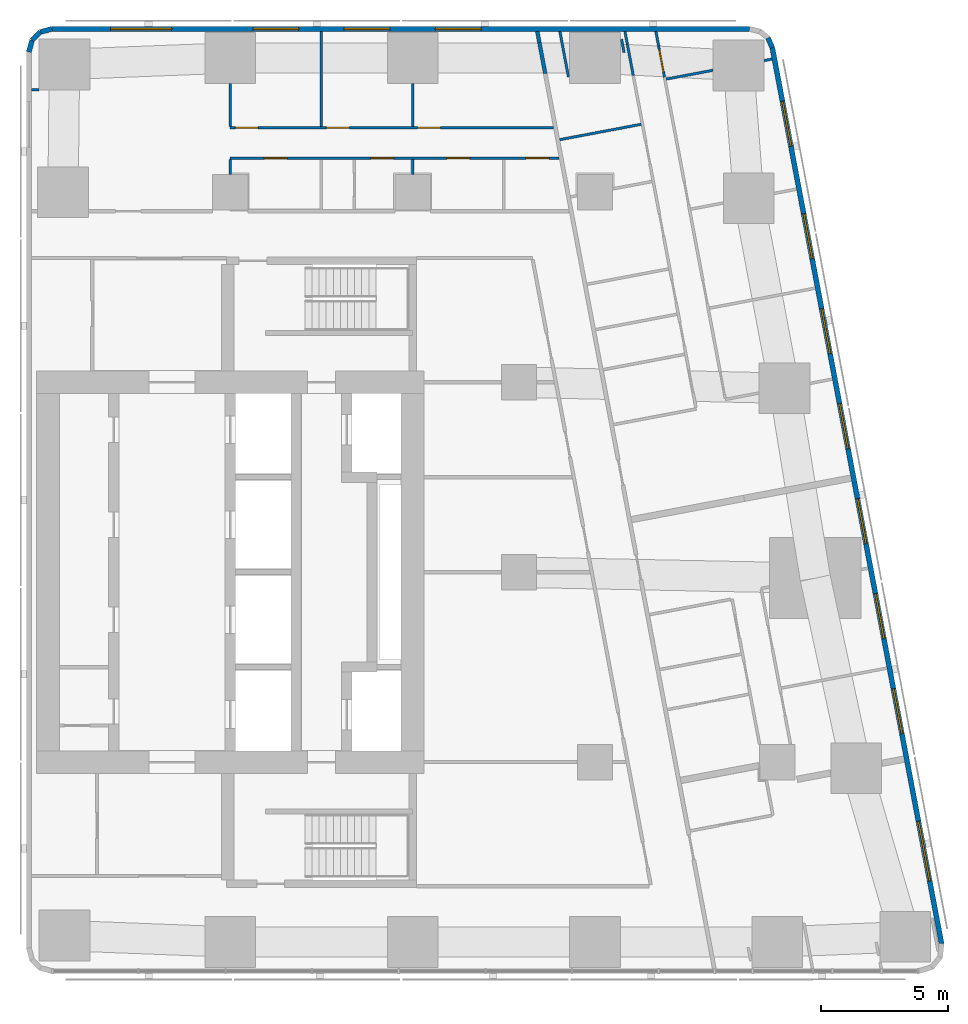
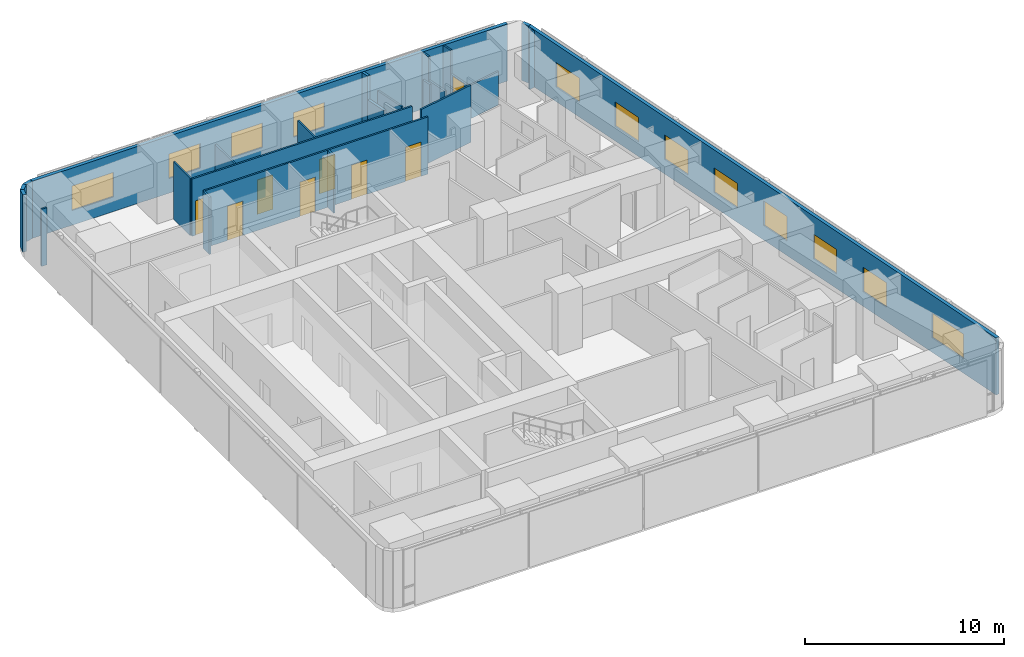
# One storey, part 8 of 11: 25 walls, 12 windows, 8 doors, 20 openings.
"""IFC4 building model written with IfcOpenShell, lengths in metres."""

from ifc_helpers import new_model, si_unit, direction, frame, frame_2d, origin, place, context, subcontext, project, spatial, rectangle, extrude, material, layer, layer_set, type_object, element, fill, save


model = new_model("IFC4")

# Units and contexts
model_context = context("Model", 3, precision=1e-05, world=origin(), true_north=direction((0.0, 1.0)))
body_context = subcontext(model_context, "Body", "Model", "MODEL_VIEW")
ifc_project = project(units=[si_unit("LENGTHUNIT", "METRE"), si_unit("AREAUNIT", "SQUARE_METRE"), si_unit("VOLUMEUNIT", "CUBIC_METRE"), si_unit("PLANEANGLEUNIT", "RADIAN"), si_unit("MASSUNIT", "GRAM", prefix="KILO")], contexts=[model_context])

# Site, building, storey
site_placement = place(None, origin())
site = spatial("IfcSite", under=ifc_project, at=site_placement, CompositionType="ELEMENT")
building_placement = place(site_placement, origin())
building = spatial("IfcBuilding", under=site, at=building_placement, Name="Sheger Commons Tower", CompositionType="ELEMENT")
storey_placement = place(building_placement, frame((0.0, 0.0, 266.60009765625)))
storey = spatial("IfcBuildingStorey", under=building, at=storey_placement, Name="L68", CompositionType="ELEMENT", Elevation=266.60009765625)

# Walls
ifc_material_1 = material(Name="Hollow concrete block masonry, skimmed both sides", Category="masonry")
ifc_layer_1 = layer(ifc_material_1, 0.14990234375)
ifc_layer_set_1 = layer_set([ifc_layer_1], Name="CORRIDOR WALL 150")
wall_type_1 = type_object("IfcWallType", Name="CORRIDOR WALL 150", PredefinedType="SOLIDWALL", material=ifc_layer_set_1)
wall_1_placement = place(storey_placement, frame((33.721923828125, 43.85009765625, 0.0), z_axis=(0.0, 0.0, 1.0), x_axis=(0.184886516626, -0.982759877066, 0.0)))
element("IfcWall", 1, at=wall_1_placement, inside=storey, type_object=wall_type_1, Name="Corridor wall L68", PredefinedType="SOLIDWALL", context=body_context, shape_type="SweptSolid", body=[
    extrude(rectangle(XDim=0.443603515625, YDim=0.14990234375, at=frame_2d((0.2216796875, 0.0))), origin(), (0.0, 0.0, 1.0), 3.5),
])
wall_2_placement = place(storey_placement, frame((33.803955078125, 43.4140625, 0.0), z_axis=(0.0, 0.0, 1.0), x_axis=(0.185585816539, -0.982628060204, 0.0)))
element("IfcWall", 2, at=wall_2_placement, inside=storey, type_object=wall_type_1, Name="Corridor wall L68", PredefinedType="SOLIDWALL", context=body_context, shape_type="SweptSolid", body=[
    extrude(rectangle(XDim=1.249755859375, YDim=0.14990234375, at=frame_2d((0.625, 0.0))), origin(), (0.0, 0.0, 1.0), 2.0498046875),
])

# Wall, openings, windows
ifc_material_2 = material(Name="Rendered concrete block masonry, dark grey", Category="masonry")
ifc_layer_2 = layer(ifc_material_2, 0.199951171875)
ifc_layer_set_2 = layer_set([ifc_layer_2], Name="FACADE WALL 200")
wall_type_2 = type_object("IfcWallType", Name="FACADE WALL 200", PredefinedType="SOLIDWALL", material=ifc_layer_set_2)
wall_3_placement = place(storey_placement, frame((49.68408203125, 7.83203125, 0.0), z_axis=(0.0, 0.0, 1.0), x_axis=(-0.185616669694, 0.982622232565, 0.0)))
wall_3 = element("IfcWall", 3, at=wall_3_placement, inside=storey, type_object=wall_type_2, Name="Facade wall L68", PredefinedType="SOLIDWALL", context=body_context, shape_type="SweptSolid", body=[
    extrude(rectangle(XDim=35.99951171875, YDim=0.199951171875, at=frame_2d((17.999755859375, 0.0))), origin(), (0.0, 0.0, 1.0), 3.5),
])
opening_1_placement = place(wall_3_placement, frame((2.51806640625, 0.0, 0.89990234375)))
opening_1 = element("IfcOpeningElement", 4, at=opening_1_placement, cuts=wall_3, Name="Opening W1", PredefinedType="OPENING", context=body_context, shape_type="SweptSolid", body=[
    extrude(rectangle(XDim=2.39990234375, YDim=1.5, at=frame_2d((1.199951171875, 0.75))), frame((0.0, 0.10986328125, 0.0), z_axis=(0.0, -1.0, 0.0), x_axis=(1.0, 0.0, 0.0)), (0.0, 0.0, 1.0), 0.219970703125),
])
opening_2_placement = place(wall_3_placement, frame((8.444091796875, 0.0, 0.89990234375)))
opening_2 = element("IfcOpeningElement", 5, at=opening_2_placement, cuts=wall_3, Name="Opening W2", PredefinedType="OPENING", context=body_context, shape_type="SweptSolid", body=[
    extrude(rectangle(XDim=1.800048828125, YDim=1.5, at=frame_2d((0.89990234375, 0.75))), frame((0.0, 0.10986328125, 0.0), z_axis=(0.0, -1.0, 0.0), x_axis=(1.0, 0.0, 0.0)), (0.0, 0.0, 1.0), 0.219970703125),
])
opening_3_placement = place(wall_3_placement, frame((12.260986328125, 0.0, 0.89990234375)))
opening_3 = element("IfcOpeningElement", 6, at=opening_3_placement, cuts=wall_3, Name="Opening W2", PredefinedType="OPENING", context=body_context, shape_type="SweptSolid", body=[
    extrude(rectangle(XDim=1.800048828125, YDim=1.5, at=frame_2d((0.89990234375, 0.75))), frame((0.0, 0.10986328125, 0.0), z_axis=(0.0, -1.0, 0.0), x_axis=(1.0, 0.0, 0.0)), (0.0, 0.0, 1.0), 0.219970703125),
])
opening_4_placement = place(wall_3_placement, frame((16.077880859375, 0.0, 0.89990234375)))
opening_4 = element("IfcOpeningElement", 7, at=opening_4_placement, cuts=wall_3, Name="Opening W2", PredefinedType="OPENING", context=body_context, shape_type="SweptSolid", body=[
    extrude(rectangle(XDim=1.800048828125, YDim=1.5, at=frame_2d((0.89990234375, 0.75))), frame((0.0, 0.10986328125, 0.0), z_axis=(0.0, -1.0, 0.0), x_axis=(1.0, 0.0, 0.0)), (0.0, 0.0, 1.0), 0.219970703125),
])
opening_5_placement = place(wall_3_placement, frame((19.89404296875, 0.0, 0.89990234375)))
opening_5 = element("IfcOpeningElement", 8, at=opening_5_placement, cuts=wall_3, Name="Opening W2", PredefinedType="OPENING", context=body_context, shape_type="SweptSolid", body=[
    extrude(rectangle(XDim=1.800048828125, YDim=1.5, at=frame_2d((0.89990234375, 0.75))), frame((0.0, 0.10986328125, 0.0), z_axis=(0.0, -1.0, 0.0), x_axis=(1.0, 0.0, 0.0)), (0.0, 0.0, 1.0), 0.219970703125),
])
opening_6_placement = place(wall_3_placement, frame((23.7099609375, 0.0, 0.89990234375)))
opening_6 = element("IfcOpeningElement", 9, at=opening_6_placement, cuts=wall_3, Name="Opening W2", PredefinedType="OPENING", context=body_context, shape_type="SweptSolid", body=[
    extrude(rectangle(XDim=1.800048828125, YDim=1.5, at=frame_2d((0.89990234375, 0.75))), frame((0.0, 0.10986328125, 0.0), z_axis=(0.0, -1.0, 0.0), x_axis=(1.0, 0.0, 0.0)), (0.0, 0.0, 1.0), 0.219970703125),
])
opening_7_placement = place(wall_3_placement, frame((27.52587890625, 0.0, 0.89990234375)))
opening_7 = element("IfcOpeningElement", 10, at=opening_7_placement, cuts=wall_3, Name="Opening W2", PredefinedType="OPENING", context=body_context, shape_type="SweptSolid", body=[
    extrude(rectangle(XDim=1.800048828125, YDim=1.5, at=frame_2d((0.89990234375, 0.75))), frame((0.0, 0.10986328125, 0.0), z_axis=(0.0, -1.0, 0.0), x_axis=(1.0, 0.0, 0.0)), (0.0, 0.0, 1.0), 0.219970703125),
])
opening_8_placement = place(wall_3_placement, frame((32.0458984375, 0.0, 0.89990234375)))
opening_8 = element("IfcOpeningElement", 11, at=opening_8_placement, cuts=wall_3, Name="Opening W2", PredefinedType="OPENING", context=body_context, shape_type="SweptSolid", body=[
    extrude(rectangle(XDim=1.800048828125, YDim=1.5, at=frame_2d((0.89990234375, 0.75))), frame((0.0, 0.10986328125, 0.0), z_axis=(0.0, -1.0, 0.0), x_axis=(1.0, 0.0, 0.0)), (0.0, 0.0, 1.0), 0.219970703125),
])
ifc_material_3 = material(Name="Black aluminium frame, dark tinted double glazing", Category="aluminium")
window_type_1 = type_object("IfcWindowType", Name="WINDOW W1 2400x1500", PartitioningType="SINGLE_PANEL", PredefinedType="WINDOW", material=ifc_material_3)
window_1_placement = place(opening_1_placement, origin())
window_1 = element("IfcWindow", 12, at=window_1_placement, inside=storey, type_object=window_type_1, Name="Window W1 2400X1500", OverallHeight=1.5, OverallWidth=2.39990234375, PartitioningType="SINGLE_PANEL", PredefinedType="WINDOW", context=body_context, shape_type="SweptSolid", body=[
    extrude(rectangle(XDim=2.39990234375, YDim=1.5, at=frame_2d((1.199951171875, 0.75))), frame((0.0, 0.030029296875, 0.0), z_axis=(0.0, -1.0, 0.0), x_axis=(1.0, 0.0, 0.0)), (0.0, 0.0, 1.0), 0.06005859375),
])
fill(opening_1, window_1)
ifc_material_4 = material(Name="Black aluminium frame, dark tinted double glazing", Category="aluminium")
window_type_2 = type_object("IfcWindowType", Name="WINDOW W2 1800x1500", PartitioningType="SINGLE_PANEL", PredefinedType="WINDOW", material=ifc_material_4)
window_2_placement = place(opening_2_placement, origin())
window_2 = element("IfcWindow", 13, at=window_2_placement, inside=storey, type_object=window_type_2, Name="Window W2 1800X1500", OverallHeight=1.5, OverallWidth=1.800048828125, PartitioningType="SINGLE_PANEL", PredefinedType="WINDOW", context=body_context, shape_type="SweptSolid", body=[
    extrude(rectangle(XDim=1.800048828125, YDim=1.5, at=frame_2d((0.89990234375, 0.75))), frame((0.0, 0.030029296875, 0.0), z_axis=(0.0, -1.0, 0.0), x_axis=(1.0, 0.0, 0.0)), (0.0, 0.0, 1.0), 0.06005859375),
])
fill(opening_2, window_2)
window_3_placement = place(opening_3_placement, origin())
window_3 = element("IfcWindow", 14, at=window_3_placement, inside=storey, type_object=window_type_2, Name="Window W2 1800X1500", OverallHeight=1.5, OverallWidth=1.800048828125, PartitioningType="SINGLE_PANEL", PredefinedType="WINDOW", context=body_context, shape_type="SweptSolid", body=[
    extrude(rectangle(XDim=1.800048828125, YDim=1.5, at=frame_2d((0.89990234375, 0.75))), frame((0.0, 0.030029296875, 0.0), z_axis=(0.0, -1.0, 0.0), x_axis=(1.0, 0.0, 0.0)), (0.0, 0.0, 1.0), 0.06005859375),
])
fill(opening_3, window_3)
window_4_placement = place(opening_4_placement, origin())
window_4 = element("IfcWindow", 15, at=window_4_placement, inside=storey, type_object=window_type_2, Name="Window W2 1800X1500", OverallHeight=1.5, OverallWidth=1.800048828125, PartitioningType="SINGLE_PANEL", PredefinedType="WINDOW", context=body_context, shape_type="SweptSolid", body=[
    extrude(rectangle(XDim=1.800048828125, YDim=1.5, at=frame_2d((0.89990234375, 0.75))), frame((0.0, 0.030029296875, 0.0), z_axis=(0.0, -1.0, 0.0), x_axis=(1.0, 0.0, 0.0)), (0.0, 0.0, 1.0), 0.06005859375),
])
fill(opening_4, window_4)
window_5_placement = place(opening_5_placement, origin())
window_5 = element("IfcWindow", 16, at=window_5_placement, inside=storey, type_object=window_type_2, Name="Window W2 1800X1500", OverallHeight=1.5, OverallWidth=1.800048828125, PartitioningType="SINGLE_PANEL", PredefinedType="WINDOW", context=body_context, shape_type="SweptSolid", body=[
    extrude(rectangle(XDim=1.800048828125, YDim=1.5, at=frame_2d((0.89990234375, 0.75))), frame((0.0, 0.030029296875, 0.0), z_axis=(0.0, -1.0, 0.0), x_axis=(1.0, 0.0, 0.0)), (0.0, 0.0, 1.0), 0.06005859375),
])
fill(opening_5, window_5)
window_6_placement = place(opening_6_placement, origin())
window_6 = element("IfcWindow", 17, at=window_6_placement, inside=storey, type_object=window_type_2, Name="Window W2 1800X1500", OverallHeight=1.5, OverallWidth=1.800048828125, PartitioningType="SINGLE_PANEL", PredefinedType="WINDOW", context=body_context, shape_type="SweptSolid", body=[
    extrude(rectangle(XDim=1.800048828125, YDim=1.5, at=frame_2d((0.89990234375, 0.75))), frame((0.0, 0.030029296875, 0.0), z_axis=(0.0, -1.0, 0.0), x_axis=(1.0, 0.0, 0.0)), (0.0, 0.0, 1.0), 0.06005859375),
])
fill(opening_6, window_6)
window_7_placement = place(opening_7_placement, origin())
window_7 = element("IfcWindow", 18, at=window_7_placement, inside=storey, type_object=window_type_2, Name="Window W2 1800X1500", OverallHeight=1.5, OverallWidth=1.800048828125, PartitioningType="SINGLE_PANEL", PredefinedType="WINDOW", context=body_context, shape_type="SweptSolid", body=[
    extrude(rectangle(XDim=1.800048828125, YDim=1.5, at=frame_2d((0.89990234375, 0.75))), frame((0.0, 0.030029296875, 0.0), z_axis=(0.0, -1.0, 0.0), x_axis=(1.0, 0.0, 0.0)), (0.0, 0.0, 1.0), 0.06005859375),
])
fill(opening_7, window_7)
window_8_placement = place(opening_8_placement, origin())
window_8 = element("IfcWindow", 19, at=window_8_placement, inside=storey, type_object=window_type_2, Name="Window W2 1800X1500", OverallHeight=1.5, OverallWidth=1.800048828125, PartitioningType="SINGLE_PANEL", PredefinedType="WINDOW", context=body_context, shape_type="SweptSolid", body=[
    extrude(rectangle(XDim=1.800048828125, YDim=1.5, at=frame_2d((0.89990234375, 0.75))), frame((0.0, 0.030029296875, 0.0), z_axis=(0.0, -1.0, 0.0), x_axis=(1.0, 0.0, 0.0)), (0.0, 0.0, 1.0), 0.06005859375),
])
fill(opening_8, window_8)

# Wall
wall_4_placement = place(storey_placement, frame((43.001953125, 43.2060546875, 0.0), z_axis=(0.0, 0.0, 1.0), x_axis=(-0.40678170573, 0.913525393124, 0.0)))
element("IfcWall", 20, at=wall_4_placement, inside=storey, type_object=wall_type_2, Name="Facade wall L68", PredefinedType="SOLIDWALL", context=body_context, shape_type="SweptSolid", body=[
    extrude(rectangle(XDim=0.422607421875, YDim=0.199951171875, at=frame_2d((0.21142578125, 0.0))), origin(), (0.0, 0.0, 1.0), 3.5),
])

# Wall, openings, windows
wall_5_placement = place(storey_placement, frame((42.10302734375, 43.949951171875, 0.0), z_axis=(0.0, 0.0, 1.0), x_axis=(-1.0, 0.0, 0.0)))
wall_5 = element("IfcWall", 21, at=wall_5_placement, inside=storey, type_object=wall_type_2, Name="Facade wall L68", PredefinedType="SOLIDWALL", context=body_context, shape_type="SweptSolid", body=[
    extrude(rectangle(XDim=27.5400390625, YDim=0.199951171875, at=frame_2d((13.77001953125, 0.0))), origin(), (0.0, 0.0, 1.0), 3.5),
])
opening_9_placement = place(wall_5_placement, frame((10.60302734375, 0.0, 0.89990234375)))
opening_9 = element("IfcOpeningElement", 22, at=opening_9_placement, cuts=wall_5, Name="Opening W2", PredefinedType="OPENING", context=body_context, shape_type="SweptSolid", body=[
    extrude(rectangle(XDim=1.800048828125, YDim=1.5, at=frame_2d((0.89990234375, 0.75))), frame((0.0, 0.10986328125, 0.0), z_axis=(0.0, -1.0, 0.0), x_axis=(1.0, 0.0, 0.0)), (0.0, 0.0, 1.0), 0.219970703125),
])
opening_10_placement = place(wall_5_placement, frame((14.202880859375, 0.0, 0.89990234375)))
opening_10 = element("IfcOpeningElement", 23, at=opening_10_placement, cuts=wall_5, Name="Opening W2", PredefinedType="OPENING", context=body_context, shape_type="SweptSolid", body=[
    extrude(rectangle(XDim=1.800048828125, YDim=1.5, at=frame_2d((0.89990234375, 0.75))), frame((0.0, 0.10986328125, 0.0), z_axis=(0.0, -1.0, 0.0), x_axis=(1.0, 0.0, 0.0)), (0.0, 0.0, 1.0), 0.219970703125),
])
opening_11_placement = place(wall_5_placement, frame((17.802978515625, 0.0, 0.89990234375)))
opening_11 = element("IfcOpeningElement", 24, at=opening_11_placement, cuts=wall_5, Name="Opening W2", PredefinedType="OPENING", context=body_context, shape_type="SweptSolid", body=[
    extrude(rectangle(XDim=1.800048828125, YDim=1.5, at=frame_2d((0.89990234375, 0.75))), frame((0.0, 0.10986328125, 0.0), z_axis=(0.0, -1.0, 0.0), x_axis=(1.0, 0.0, 0.0)), (0.0, 0.0, 1.0), 0.219970703125),
])
opening_12_placement = place(wall_5_placement, frame((22.822021484375, 0.0, 0.89990234375)))
opening_12 = element("IfcOpeningElement", 25, at=opening_12_placement, cuts=wall_5, Name="Opening W1", PredefinedType="OPENING", context=body_context, shape_type="SweptSolid", body=[
    extrude(rectangle(XDim=2.39990234375, YDim=1.5, at=frame_2d((1.199951171875, 0.75))), frame((0.0, 0.10986328125, 0.0), z_axis=(0.0, -1.0, 0.0), x_axis=(1.0, 0.0, 0.0)), (0.0, 0.0, 1.0), 0.219970703125),
])
window_9_placement = place(opening_12_placement, origin())
window_9 = element("IfcWindow", 26, at=window_9_placement, inside=storey, type_object=window_type_1, Name="Window W1 2400X1500", OverallHeight=1.5, OverallWidth=2.39990234375, PartitioningType="SINGLE_PANEL", PredefinedType="WINDOW", context=body_context, shape_type="SweptSolid", body=[
    extrude(rectangle(XDim=2.39990234375, YDim=1.5, at=frame_2d((1.199951171875, 0.75))), frame((0.0, 0.030029296875, 0.0), z_axis=(0.0, -1.0, 0.0), x_axis=(1.0, 0.0, 0.0)), (0.0, 0.0, 1.0), 0.06005859375),
])
fill(opening_12, window_9)
window_10_placement = place(opening_9_placement, origin())
window_10 = element("IfcWindow", 27, at=window_10_placement, inside=storey, type_object=window_type_2, Name="Window W2 1800X1500", OverallHeight=1.5, OverallWidth=1.800048828125, PartitioningType="SINGLE_PANEL", PredefinedType="WINDOW", context=body_context, shape_type="SweptSolid", body=[
    extrude(rectangle(XDim=1.800048828125, YDim=1.5, at=frame_2d((0.89990234375, 0.75))), frame((0.0, 0.030029296875, 0.0), z_axis=(0.0, -1.0, 0.0), x_axis=(1.0, 0.0, 0.0)), (0.0, 0.0, 1.0), 0.06005859375),
])
fill(opening_9, window_10)
window_11_placement = place(opening_10_placement, origin())
window_11 = element("IfcWindow", 28, at=window_11_placement, inside=storey, type_object=window_type_2, Name="Window W2 1800X1500", OverallHeight=1.5, OverallWidth=1.800048828125, PartitioningType="SINGLE_PANEL", PredefinedType="WINDOW", context=body_context, shape_type="SweptSolid", body=[
    extrude(rectangle(XDim=1.800048828125, YDim=1.5, at=frame_2d((0.89990234375, 0.75))), frame((0.0, 0.030029296875, 0.0), z_axis=(0.0, -1.0, 0.0), x_axis=(1.0, 0.0, 0.0)), (0.0, 0.0, 1.0), 0.06005859375),
])
fill(opening_10, window_11)
window_12_placement = place(opening_11_placement, origin())
window_12 = element("IfcWindow", 29, at=window_12_placement, inside=storey, type_object=window_type_2, Name="Window W2 1800X1500", OverallHeight=1.5, OverallWidth=1.800048828125, PartitioningType="SINGLE_PANEL", PredefinedType="WINDOW", context=body_context, shape_type="SweptSolid", body=[
    extrude(rectangle(XDim=1.800048828125, YDim=1.5, at=frame_2d((0.89990234375, 0.75))), frame((0.0, 0.030029296875, 0.0), z_axis=(0.0, -1.0, 0.0), x_axis=(1.0, 0.0, 0.0)), (0.0, 0.0, 1.0), 0.06005859375),
])
fill(opening_11, window_12)

# Walls
wall_6_placement = place(storey_placement, frame((14.56298828125, 43.949951171875, 0.0), z_axis=(0.0, 0.0, 1.0), x_axis=(-0.965655254015, -0.259826731483, 0.0)))
element("IfcWall", 30, at=wall_6_placement, inside=storey, type_object=wall_type_2, Name="Facade wall L68", PredefinedType="SOLIDWALL", context=body_context, shape_type="SweptSolid", body=[
    extrude(rectangle(XDim=0.477294921875, YDim=0.199951171875, at=frame_2d((0.23876953125, 0.0))), origin(), (0.0, 0.0, 1.0), 3.5),
])
wall_7_placement = place(storey_placement, frame((14.10205078125, 43.825927734375, 0.0), z_axis=(0.0, 0.0, 1.0), x_axis=(-0.707369890659, -0.706843573776, 0.0)))
element("IfcWall", 31, at=wall_7_placement, inside=storey, type_object=wall_type_2, Name="Facade wall L68", PredefinedType="SOLIDWALL", context=body_context, shape_type="SweptSolid", body=[
    extrude(rectangle(XDim=0.4638671875, YDim=0.199951171875, at=frame_2d((0.23193359375, 0.0))), origin(), (0.0, 0.0, 1.0), 3.5),
])
wall_8_placement = place(storey_placement, frame((13.77392578125, 43.498046875, 0.0), z_axis=(0.0, 0.0, 1.0), x_axis=(-0.259826731483, -0.965655254015, 0.0)))
element("IfcWall", 32, at=wall_8_placement, inside=storey, type_object=wall_type_2, Name="Facade wall L68", PredefinedType="SOLIDWALL", context=body_context, shape_type="SweptSolid", body=[
    extrude(rectangle(XDim=0.477294921875, YDim=0.199951171875, at=frame_2d((0.23876953125, 0.0))), origin(), (0.0, 0.0, 1.0), 3.5),
])
ifc_material_5 = material(Name="Gypsum board on steel studs", Category="steel")
ifc_layer_3 = layer(ifc_material_5, 0.10009765625)
ifc_layer_set_3 = layer_set([ifc_layer_3], Name="PARTITION 100")
wall_type_3 = type_object("IfcWallType", Name="PARTITION 100", PredefinedType="PARTITIONING", material=ifc_layer_set_3)
wall_9_placement = place(storey_placement, frame((34.951904296875, 42.054931640625, 0.0), z_axis=(0.0, 0.0, 1.0), x_axis=(-0.185490642006, 0.98264603074, 0.0)))
element("IfcWall", 33, at=wall_9_placement, inside=storey, type_object=wall_type_3, Name="Partition L68", PredefinedType="PARTITIONING", context=body_context, shape_type="SweptSolid", body=[
    extrude(rectangle(XDim=1.826904296875, YDim=0.10009765625, at=frame_2d((0.91357421875, 0.0))), origin(), (0.0, 0.0, 1.0), 2.0498046875),
])
wall_10_placement = place(storey_placement, frame((37.049072265625, 43.5390625, 0.0), z_axis=(0.0, 0.0, 1.0), x_axis=(0.186119495745, -0.982527115811, 0.0)))
element("IfcWall", 34, at=wall_10_placement, inside=storey, type_object=wall_type_3, Name="Partition L68", PredefinedType="PARTITIONING", context=body_context, shape_type="SweptSolid", body=[
    extrude(rectangle(XDim=0.53125, YDim=0.10009765625, at=frame_2d((0.265625, 0.0))), origin(), (0.0, 0.0, 1.0), 2.0498046875),
])
wall_11_placement = place(storey_placement, frame((38.403076171875, 43.85009765625, 0.0), z_axis=(0.0, 0.0, 1.0), x_axis=(0.184976954078, -0.982742858768, 0.0)))
element("IfcWall", 35, at=wall_11_placement, inside=storey, type_object=wall_type_3, Name="Partition L68", PredefinedType="PARTITIONING", context=body_context, shape_type="SweptSolid", body=[
    extrude(rectangle(XDim=0.578125, YDim=0.10009765625, at=frame_2d((0.2890625, 0.0))), origin(), (0.0, 0.0, 1.0), 3.5),
])

# Wall, opening, door
wall_12_placement = place(storey_placement, frame((38.510009765625, 43.281982421875, 0.0), z_axis=(0.0, 0.0, 1.0), x_axis=(0.185775287495, -0.982592256511, 0.0)))
wall_12 = element("IfcWall", 36, at=wall_12_placement, inside=storey, type_object=wall_type_3, Name="Partition L68", PredefinedType="PARTITIONING", context=body_context, shape_type="SweptSolid", body=[
    extrude(rectangle(XDim=1.259033203125, YDim=0.10009765625, at=frame_2d((0.62939453125, 0.0))), origin(), (0.0, 0.0, 1.0), 2.0498046875),
])
opening_13_placement = place(wall_12_placement, frame((0.14990234375, 0.0, 0.0)))
opening_13 = element("IfcOpeningElement", 37, at=opening_13_placement, cuts=wall_12, Name="Opening D11", PredefinedType="OPENING", context=body_context, shape_type="SweptSolid", body=[
    extrude(rectangle(XDim=0.89990234375, YDim=2.0, at=frame_2d((0.449951171875, 1.0))), frame((0.0, 0.06005859375, 0.0), z_axis=(0.0, -1.0, 0.0), x_axis=(1.0, 0.0, 0.0)), (0.0, 0.0, 1.0), 0.1201171875),
])
ifc_material_6 = material(Name="Timber door set", Category="wood")
door_type_1 = type_object("IfcDoorType", Name="INTERNAL DOOR 900x2000", OperationType="NOTDEFINED", PredefinedType="DOOR", material=ifc_material_6)
door_1_placement = place(opening_13_placement, origin())
door_1 = element("IfcDoor", 38, at=door_1_placement, inside=storey, type_object=door_type_1, Name="Dressing room door", OperationType="SINGLE_SWING_LEFT", OverallHeight=2.0, OverallWidth=0.89990234375, PredefinedType="DOOR", context=body_context, shape_type="SweptSolid", body=[
    extrude(rectangle(XDim=0.89990234375, YDim=2.0, at=frame_2d((0.449951171875, 1.0))), frame((0.0, 0.02490234375, 0.0), z_axis=(0.0, -1.0, 0.0), x_axis=(1.0, 0.0, 0.0)), (0.0, 0.0, 1.0), 0.050048828125),
])
fill(opening_13, door_1)

# Walls
wall_13_placement = place(storey_placement, frame((37.181884765625, 43.85009765625, 0.0), z_axis=(0.0, 0.0, 1.0), x_axis=(0.18558124934, -0.982628922785, 0.0)))
element("IfcWall", 39, at=wall_13_placement, inside=storey, type_object=wall_type_3, Name="Partition L68", PredefinedType="PARTITIONING", context=body_context, shape_type="SweptSolid", body=[
    extrude(rectangle(XDim=0.51318359375, YDim=0.10009765625, at=frame_2d((0.256591796875, 0.0))), origin(), (0.0, 0.0, 1.0), 3.5),
])
wall_14_placement = place(storey_placement, frame((37.277099609375, 43.345947265625, 0.0), z_axis=(0.0, 0.0, 1.0), x_axis=(0.185775287495, -0.982592256511, 0.0)))
element("IfcWall", 40, at=wall_14_placement, inside=storey, type_object=wall_type_3, Name="Partition L68", PredefinedType="PARTITIONING", context=body_context, shape_type="SweptSolid", body=[
    extrude(rectangle(XDim=1.259033203125, YDim=0.10009765625, at=frame_2d((0.62939453125, 0.0))), origin(), (0.0, 0.0, 1.0), 2.0498046875),
])
wall_15_placement = place(storey_placement, frame((42.985107421875, 42.7548828125, 0.0), z_axis=(0.0, 0.0, 1.0), x_axis=(-0.98281924824, -0.184570651215, 0.0)))
element("IfcWall", 41, at=wall_15_placement, inside=storey, type_object=wall_type_3, Name="Partition L68", PredefinedType="PARTITIONING", context=body_context, shape_type="SweptSolid", body=[
    extrude(rectangle(XDim=0.3134765625, YDim=0.10009765625, at=frame_2d((0.15673828125, 0.0))), origin(), (0.0, 0.0, 1.0), 3.5),
])
wall_16_placement = place(storey_placement, frame((40.656982421875, 42.31494140625, 0.0), z_axis=(0.0, 0.0, 1.0), x_axis=(-0.982622785543, -0.185613742305, 0.0)))
element("IfcWall", 42, at=wall_16_placement, inside=storey, type_object=wall_type_3, Name="Partition L68", PredefinedType="PARTITIONING", context=body_context, shape_type="SweptSolid", body=[
    extrude(rectangle(XDim=1.879638671875, YDim=0.10009765625, at=frame_2d((0.93994140625, 0.0))), origin(), (0.0, 0.0, 1.0), 2.0498046875),
])
wall_17_placement = place(storey_placement, frame((37.823974609375, 40.181884765625, 0.0), z_axis=(0.0, 0.0, 1.0), x_axis=(-0.982674977865, -0.185337227447, 0.0)))
element("IfcWall", 43, at=wall_17_placement, inside=storey, type_object=wall_type_3, Name="Partition L68", PredefinedType="PARTITIONING", context=body_context, shape_type="SweptSolid", body=[
    extrude(rectangle(XDim=3.274658203125, YDim=0.10009765625, at=frame_2d((1.63720703125, 0.0))), origin(), (0.0, 0.0, 1.0), 3.5),
])
wall_18_placement = place(storey_placement, frame((14.053955078125, 41.5458984375, 0.0), z_axis=(0.0, 0.0, 1.0), x_axis=(-1.0, 0.0, 0.0)))
element("IfcWall", 44, at=wall_18_placement, inside=storey, type_object=wall_type_3, Name="Partition L68", PredefinedType="PARTITIONING", context=body_context, shape_type="SweptSolid", body=[
    extrude(rectangle(XDim=0.303955078125, YDim=0.10009765625, at=frame_2d((0.15185546875, 0.0))), origin(), (0.0, 0.0, 1.0), 3.5),
])

# Wall, openings, doors
wall_19_placement = place(storey_placement, frame((21.60009765625, 40.050048828125, 0.0), z_axis=(0.0, 0.0, 1.0), x_axis=(1.0, 0.0, 0.0)))
wall_19 = element("IfcWall", 45, at=wall_19_placement, inside=storey, type_object=wall_type_3, Name="Partition L68", PredefinedType="PARTITIONING", context=body_context, shape_type="SweptSolid", body=[
    extrude(rectangle(XDim=12.75390625, YDim=0.10009765625, at=frame_2d((6.376953125, 0.0))), origin(), (0.0, 0.0, 1.0), 3.5),
])
opening_14_placement = place(wall_19_placement, frame((0.199951171875, 0.0, 0.0)))
opening_14 = element("IfcOpeningElement", 46, at=opening_14_placement, cuts=wall_19, Name="Opening D2", PredefinedType="OPENING", context=body_context, shape_type="SweptSolid", body=[
    extrude(rectangle(XDim=0.89990234375, YDim=2.10009765625, at=frame_2d((0.449951171875, 1.050048828125))), frame((0.0, 0.06005859375, 0.0), z_axis=(0.0, -1.0, 0.0), x_axis=(1.0, 0.0, 0.0)), (0.0, 0.0, 1.0), 0.1201171875),
])
opening_15_placement = place(wall_19_placement, frame((3.800048828125, 0.0, 0.0)))
opening_15 = element("IfcOpeningElement", 47, at=opening_15_placement, cuts=wall_19, Name="Opening D2", PredefinedType="OPENING", context=body_context, shape_type="SweptSolid", body=[
    extrude(rectangle(XDim=0.89990234375, YDim=2.10009765625, at=frame_2d((0.449951171875, 1.050048828125))), frame((0.0, 0.06005859375, 0.0), z_axis=(0.0, -1.0, 0.0), x_axis=(1.0, 0.0, 0.0)), (0.0, 0.0, 1.0), 0.1201171875),
])
opening_16_placement = place(wall_19_placement, frame((7.39990234375, 0.0, 0.0)))
opening_16 = element("IfcOpeningElement", 48, at=opening_16_placement, cuts=wall_19, Name="Opening D2", PredefinedType="OPENING", context=body_context, shape_type="SweptSolid", body=[
    extrude(rectangle(XDim=0.89990234375, YDim=2.10009765625, at=frame_2d((0.449951171875, 1.050048828125))), frame((0.0, 0.06005859375, 0.0), z_axis=(0.0, -1.0, 0.0), x_axis=(1.0, 0.0, 0.0)), (0.0, 0.0, 1.0), 0.1201171875),
])
ifc_material_7 = material(Name="Timber door set", Category="wood")
door_type_2 = type_object("IfcDoorType", Name="INTERNAL DOOR 900x2100", OperationType="NOTDEFINED", PredefinedType="DOOR", material=ifc_material_7)
door_2_placement = place(opening_14_placement, origin())
door_2 = element("IfcDoor", 49, at=door_2_placement, inside=storey, type_object=door_type_2, Name="Main bedroom door", OperationType="SINGLE_SWING_LEFT", OverallHeight=2.10009765625, OverallWidth=0.89990234375, PredefinedType="DOOR", context=body_context, shape_type="SweptSolid", body=[
    extrude(rectangle(XDim=0.89990234375, YDim=2.10009765625, at=frame_2d((0.449951171875, 1.050048828125))), frame((0.0, 0.02490234375, 0.0), z_axis=(0.0, -1.0, 0.0), x_axis=(1.0, 0.0, 0.0)), (0.0, 0.0, 1.0), 0.050048828125),
])
fill(opening_14, door_2)
door_3_placement = place(opening_15_placement, origin())
door_3 = element("IfcDoor", 50, at=door_3_placement, inside=storey, type_object=door_type_2, Name="Bedroom 2 door", OperationType="SINGLE_SWING_LEFT", OverallHeight=2.10009765625, OverallWidth=0.89990234375, PredefinedType="DOOR", context=body_context, shape_type="SweptSolid", body=[
    extrude(rectangle(XDim=0.89990234375, YDim=2.10009765625, at=frame_2d((0.449951171875, 1.050048828125))), frame((0.0, 0.02490234375, 0.0), z_axis=(0.0, -1.0, 0.0), x_axis=(1.0, 0.0, 0.0)), (0.0, 0.0, 1.0), 0.050048828125),
])
fill(opening_15, door_3)
door_4_placement = place(opening_16_placement, origin())
door_4 = element("IfcDoor", 51, at=door_4_placement, inside=storey, type_object=door_type_2, Name="Bedroom 3 door", OperationType="SINGLE_SWING_LEFT", OverallHeight=2.10009765625, OverallWidth=0.89990234375, PredefinedType="DOOR", context=body_context, shape_type="SweptSolid", body=[
    extrude(rectangle(XDim=0.89990234375, YDim=2.10009765625, at=frame_2d((0.449951171875, 1.050048828125))), frame((0.0, 0.02490234375, 0.0), z_axis=(0.0, -1.0, 0.0), x_axis=(1.0, 0.0, 0.0)), (0.0, 0.0, 1.0), 0.050048828125),
])
fill(opening_16, door_4)

wall_20_placement = place(storey_placement, frame((21.60009765625, 38.85009765625, 0.0), z_axis=(0.0, 0.0, 1.0), x_axis=(1.0, 0.0, 0.0)))
wall_20 = element("IfcWall", 52, at=wall_20_placement, inside=storey, type_object=wall_type_3, Name="Partition L68", PredefinedType="PARTITIONING", context=body_context, shape_type="SweptSolid", body=[
    extrude(rectangle(XDim=12.98095703125, YDim=0.10009765625, at=frame_2d((6.490478515625, 0.0))), origin(), (0.0, 0.0, 1.0), 3.5),
])
opening_17_placement = place(wall_20_placement, frame((1.35009765625, 0.0, 0.0)))
opening_17 = element("IfcOpeningElement", 53, at=opening_17_placement, cuts=wall_20, Name="Opening D2", PredefinedType="OPENING", context=body_context, shape_type="SweptSolid", body=[
    extrude(rectangle(XDim=0.89990234375, YDim=2.10009765625, at=frame_2d((0.449951171875, 1.050048828125))), frame((0.0, 0.06005859375, 0.0), z_axis=(0.0, -1.0, 0.0), x_axis=(1.0, 0.0, 0.0)), (0.0, 0.0, 1.0), 0.1201171875),
])
opening_18_placement = place(wall_20_placement, frame((5.550048828125, 0.0, 0.0)))
opening_18 = element("IfcOpeningElement", 54, at=opening_18_placement, cuts=wall_20, Name="Opening D2", PredefinedType="OPENING", context=body_context, shape_type="SweptSolid", body=[
    extrude(rectangle(XDim=0.89990234375, YDim=2.10009765625, at=frame_2d((0.449951171875, 1.050048828125))), frame((0.0, 0.06005859375, 0.0), z_axis=(0.0, -1.0, 0.0), x_axis=(1.0, 0.0, 0.0)), (0.0, 0.0, 1.0), 0.1201171875),
])
opening_19_placement = place(wall_20_placement, frame((8.550048828125, 0.0, 0.0)))
opening_19 = element("IfcOpeningElement", 55, at=opening_19_placement, cuts=wall_20, Name="Opening D2", PredefinedType="OPENING", context=body_context, shape_type="SweptSolid", body=[
    extrude(rectangle(XDim=0.89990234375, YDim=2.10009765625, at=frame_2d((0.449951171875, 1.050048828125))), frame((0.0, 0.06005859375, 0.0), z_axis=(0.0, -1.0, 0.0), x_axis=(1.0, 0.0, 0.0)), (0.0, 0.0, 1.0), 0.1201171875),
])
opening_20_placement = place(wall_20_placement, frame((11.680908203125, 0.0, 0.0)))
opening_20 = element("IfcOpeningElement", 56, at=opening_20_placement, cuts=wall_20, Name="Opening D2", PredefinedType="OPENING", context=body_context, shape_type="SweptSolid", body=[
    extrude(rectangle(XDim=0.89990234375, YDim=2.10009765625, at=frame_2d((0.449951171875, 1.050048828125))), frame((0.0, 0.06005859375, 0.0), z_axis=(0.0, -1.0, 0.0), x_axis=(1.0, 0.0, 0.0)), (0.0, 0.0, 1.0), 0.1201171875),
])
door_5_placement = place(opening_17_placement, origin())
door_5 = element("IfcDoor", 57, at=door_5_placement, inside=storey, type_object=door_type_2, Name="Bathroom door", OperationType="SINGLE_SWING_RIGHT", OverallHeight=2.10009765625, OverallWidth=0.89990234375, PredefinedType="DOOR", context=body_context, shape_type="SweptSolid", body=[
    extrude(rectangle(XDim=0.89990234375, YDim=2.10009765625, at=frame_2d((0.449951171875, 1.050048828125))), frame((0.0, 0.02490234375, 0.0), z_axis=(0.0, -1.0, 0.0), x_axis=(1.0, 0.0, 0.0)), (0.0, 0.0, 1.0), 0.050048828125),
])
fill(opening_17, door_5)
door_6_placement = place(opening_18_placement, origin())
door_6 = element("IfcDoor", 58, at=door_6_placement, inside=storey, type_object=door_type_2, Name="Shower room door", OperationType="SINGLE_SWING_RIGHT", OverallHeight=2.10009765625, OverallWidth=0.89990234375, PredefinedType="DOOR", context=body_context, shape_type="SweptSolid", body=[
    extrude(rectangle(XDim=0.89990234375, YDim=2.10009765625, at=frame_2d((0.449951171875, 1.050048828125))), frame((0.0, 0.02490234375, 0.0), z_axis=(0.0, -1.0, 0.0), x_axis=(1.0, 0.0, 0.0)), (0.0, 0.0, 1.0), 0.050048828125),
])
fill(opening_18, door_6)
door_7_placement = place(opening_19_placement, origin())
door_7 = element("IfcDoor", 59, at=door_7_placement, inside=storey, type_object=door_type_2, Name="Laundry room door", OperationType="SINGLE_SWING_LEFT", OverallHeight=2.10009765625, OverallWidth=0.89990234375, PredefinedType="DOOR", context=body_context, shape_type="SweptSolid", body=[
    extrude(rectangle(XDim=0.89990234375, YDim=2.10009765625, at=frame_2d((0.449951171875, 1.050048828125))), frame((0.0, 0.02490234375, 0.0), z_axis=(0.0, -1.0, 0.0), x_axis=(1.0, 0.0, 0.0)), (0.0, 0.0, 1.0), 0.050048828125),
])
fill(opening_19, door_7)
door_8_placement = place(opening_20_placement, origin())
door_8 = element("IfcDoor", 60, at=door_8_placement, inside=storey, type_object=door_type_2, Name="Store and laundry door", OperationType="SINGLE_SWING_LEFT", OverallHeight=2.10009765625, OverallWidth=0.89990234375, PredefinedType="DOOR", context=body_context, shape_type="SweptSolid", body=[
    extrude(rectangle(XDim=0.89990234375, YDim=2.10009765625, at=frame_2d((0.449951171875, 1.050048828125))), frame((0.0, 0.02490234375, 0.0), z_axis=(0.0, -1.0, 0.0), x_axis=(1.0, 0.0, 0.0)), (0.0, 0.0, 1.0), 0.050048828125),
])
fill(opening_20, door_8)

# Walls
wall_21_placement = place(storey_placement, frame((21.60009765625, 40.10009765625, 0.0), z_axis=(0.0, 0.0, 1.0), x_axis=(0.0, 1.0, 0.0)))
element("IfcWall", 61, at=wall_21_placement, inside=storey, type_object=wall_type_3, Name="Partition L68", PredefinedType="PARTITIONING", context=body_context, shape_type="SweptSolid", body=[
    extrude(rectangle(XDim=1.698974609375, YDim=0.10009765625, at=frame_2d((0.849609375, 0.0))), origin(), (0.0, 0.0, 1.0), 3.5),
])
wall_22_placement = place(storey_placement, frame((25.199951171875, 40.10009765625, 0.0), z_axis=(0.0, 0.0, 1.0), x_axis=(0.0, 1.0, 0.0)))
element("IfcWall", 62, at=wall_22_placement, inside=storey, type_object=wall_type_3, Name="Partition L68", PredefinedType="PARTITIONING", context=body_context, shape_type="SweptSolid", body=[
    extrude(rectangle(XDim=3.75, YDim=0.10009765625, at=frame_2d((1.875, 0.0))), origin(), (0.0, 0.0, 1.0), 2.0498046875),
])
wall_23_placement = place(storey_placement, frame((28.800048828125, 40.10009765625, 0.0), z_axis=(0.0, 0.0, 1.0), x_axis=(0.0, 1.0, 0.0)))
element("IfcWall", 63, at=wall_23_placement, inside=storey, type_object=wall_type_3, Name="Partition L68", PredefinedType="PARTITIONING", context=body_context, shape_type="SweptSolid", body=[
    extrude(rectangle(XDim=1.698974609375, YDim=0.10009765625, at=frame_2d((0.849609375, 0.0))), origin(), (0.0, 0.0, 1.0), 3.5),
])
for number, where, z_axis, x_axis, name in (
    (64, (21.60009765625, 38.200927734375, 0.0), (0.0, 0.0, 1.0), (0.0, 1.0, 0.0), "Partition L68"),
    (65, (28.800048828125, 38.200927734375, 0.0), (0.0, 0.0, 1.0), (0.0, 1.0, 0.0), "Partition L68"),
):
    element("IfcWall", number, at=place(storey_placement, frame(where, z_axis=z_axis, x_axis=x_axis)), inside=storey, type_object=wall_type_3, Name=name, PredefinedType="PARTITIONING", context=body_context, shape_type="SweptSolid", body=[
        extrude(rectangle(XDim=0.59912109375, YDim=0.10009765625, at=frame_2d((0.299560546875, 0.0))), origin(), (0.0, 0.0, 1.0), 3.5),
    ])

save(model, "model.ifc")
